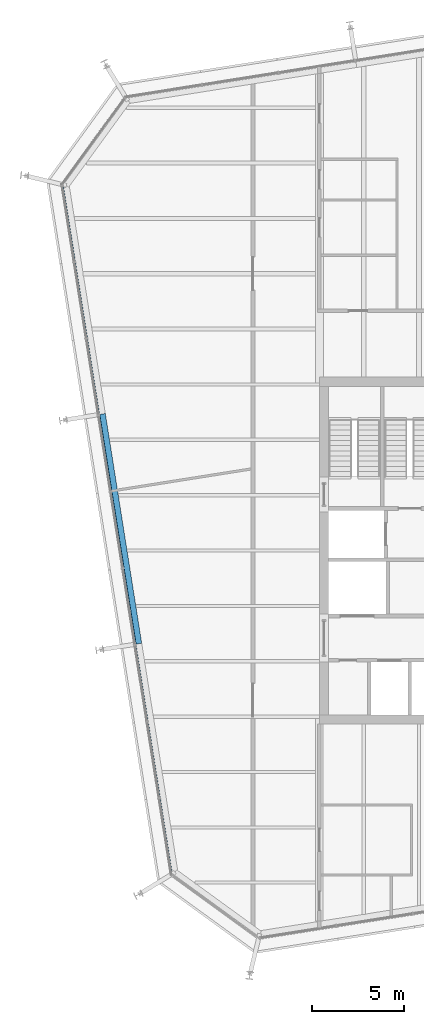
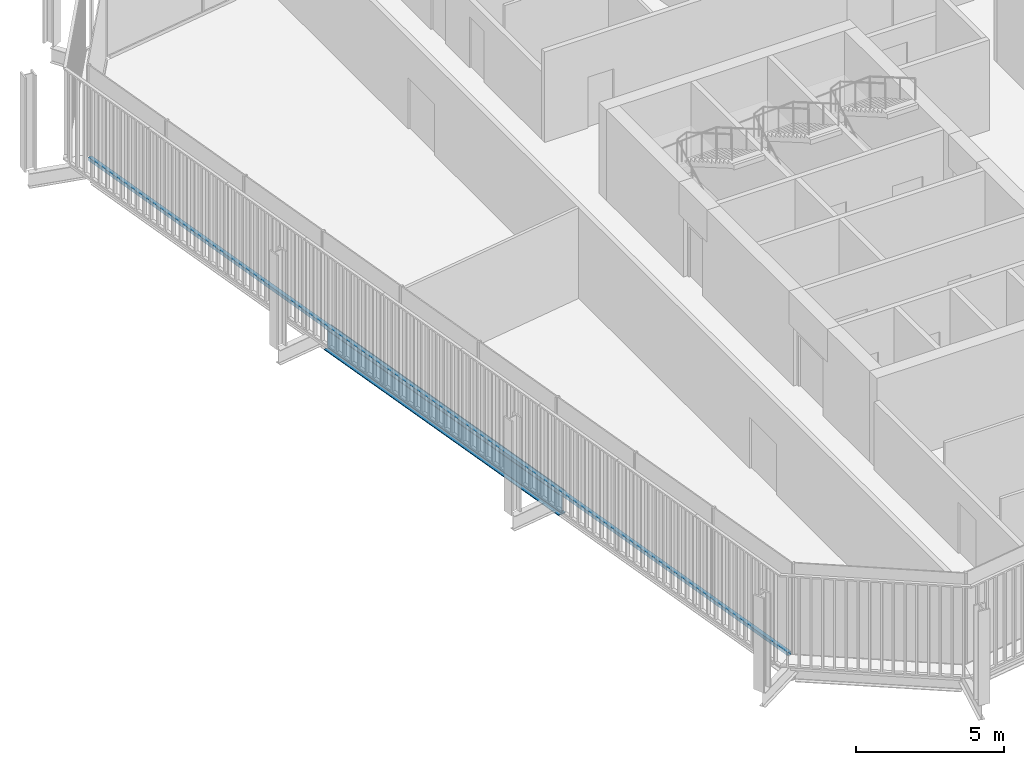
# One storey, part 5 of 20: 1 beam, 1 member, 1 element without a shape of its own.
"""IFC4 building model written with IfcOpenShell, lengths in metres."""

from ifc_helpers import new_model, si_unit, direction, frame, origin, origin_2d, place, context, subcontext, project, spatial, rectangle, i_section, extrude, material, layer, layer_set, material_profile, profile_set, type_object, element, aggregate, save


model = new_model("IFC4")

# Units and contexts
model_context = context("Model", 3, precision=1e-05, world=origin(), true_north=direction((0.0, 1.0)))
body_context = subcontext(model_context, "Body", "Model", "MODEL_VIEW")
ifc_project = project(units=[si_unit("LENGTHUNIT", "METRE"), si_unit("AREAUNIT", "SQUARE_METRE"), si_unit("VOLUMEUNIT", "CUBIC_METRE"), si_unit("PLANEANGLEUNIT", "RADIAN"), si_unit("MASSUNIT", "GRAM", prefix="KILO")], contexts=[model_context])

# Site, building, storey
site_placement = place(None, origin())
site = spatial("IfcSite", under=ifc_project, at=site_placement, CompositionType="ELEMENT")
building_placement = place(site_placement, origin())
building = spatial("IfcBuilding", under=site, at=building_placement, Name="Millrace Tower", CompositionType="ELEMENT")
storey_placement = place(building_placement, frame((0.0, 0.0, 224.199951171875)))
storey = spatial("IfcBuildingStorey", under=building, at=storey_placement, Name="L51", CompositionType="ELEMENT", Elevation=224.199951171875)

# Curtain wall, member
ifc_material_1 = material(Name="Aluminium and glass", Category="aluminium")
ifc_layer = layer(ifc_material_1, 0.14990234375)
ifc_layer_set = layer_set([ifc_layer], Name="Aluminium and glass")
curtain_wall_type = type_object("IfcCurtainWallType", Name="CW-1 office vision curtain wall", PredefinedType="NOTDEFINED", material=ifc_layer_set)
curtain_wall_placement = place(storey_placement, origin())
curtain_wall = element("IfcCurtainWall", 1, at=curtain_wall_placement, inside=storey, type_object=curtain_wall_type, Name="Curtain wall D-F08 L51", PredefinedType="NOTDEFINED")
ifc_material_2 = material(Name="Aluminium", Category="aluminium")
ifc_material_profile_1 = material_profile(ifc_material_2, rectangle(XDim=0.14990234375, YDim=0.139892578125, at=origin_2d()))
ifc_profile_set_1 = profile_set([ifc_material_profile_1], Name="Aluminium")
member_type = type_object("IfcMemberType", Name="CW-1 office vision curtain wall transom", PredefinedType="USERDEFINED", material=ifc_profile_set_1)
member_placement = place(storey_placement, frame((-28.331787109375, 19.708740234375, 0.070068359375), z_axis=(0.156432359726, -0.987688674042, 0.0), x_axis=(0.987688674042, 0.156432359726, 0.0)))
member = element("IfcMember", 2, at=member_placement, type_object=member_type, Name="CW1 transom D-F08.1", ObjectType="TRANSOM", PredefinedType="USERDEFINED", context=body_context, shape_type="SweptSolid", body=[
    extrude(rectangle(XDim=0.14990234375, YDim=0.139892578125, at=origin_2d()), origin(), (0.0, 0.0, 1.0), 37.599853515625),
])
aggregate(curtain_wall, [member])

# Beam
ifc_material_3 = material(Name="Steel ASTM A992 Grade 50", Category="steel")
ifc_material_profile_2 = material_profile(ifc_material_3, i_section(OverallWidth=0.307373046875, OverallDepth=0.927001953125, WebThickness=0.01953125, FlangeThickness=0.031982421875, FilletRadius=0.01904296875, at=origin_2d()))
ifc_profile_set_2 = profile_set([ifc_material_profile_2], Name="Steel ASTM A992 Grade 50")
beam_type = type_object("IfcBeamType", Name="Ring beam medium span W36x194", PredefinedType="SPANDREL", material=ifc_profile_set_2)
beam_placement = place(storey_placement, frame((-24.179443359375, -5.04638671875, -0.62353515625), z_axis=(-0.1564441342, 0.987686809102, 0.0), x_axis=(-0.987686809102, -0.1564441342, 0.0)))
element("IfcBeam", 3, at=beam_placement, inside=storey, type_object=beam_type, Name="RNG-D-L51-S1-02", PredefinedType="SPANDREL", context=body_context, shape_type="SweptSolid", body=[
    extrude(i_section(OverallWidth=0.307373046875, OverallDepth=0.927001953125, WebThickness=0.01953125, FlangeThickness=0.031982421875, FilletRadius=0.01904296875, at=origin_2d()), origin(), (0.0, 0.0, 1.0), 12.599853515625),
])

save(model, "model.ifc")
